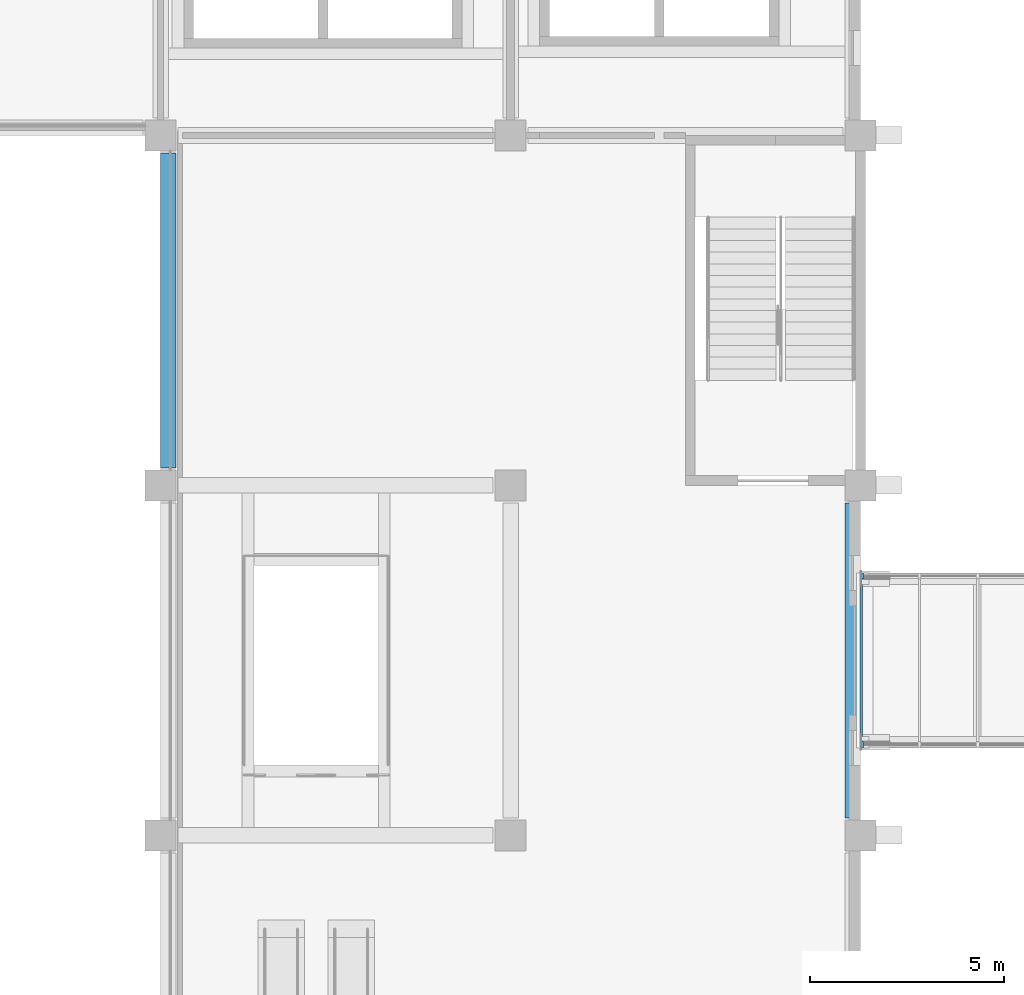
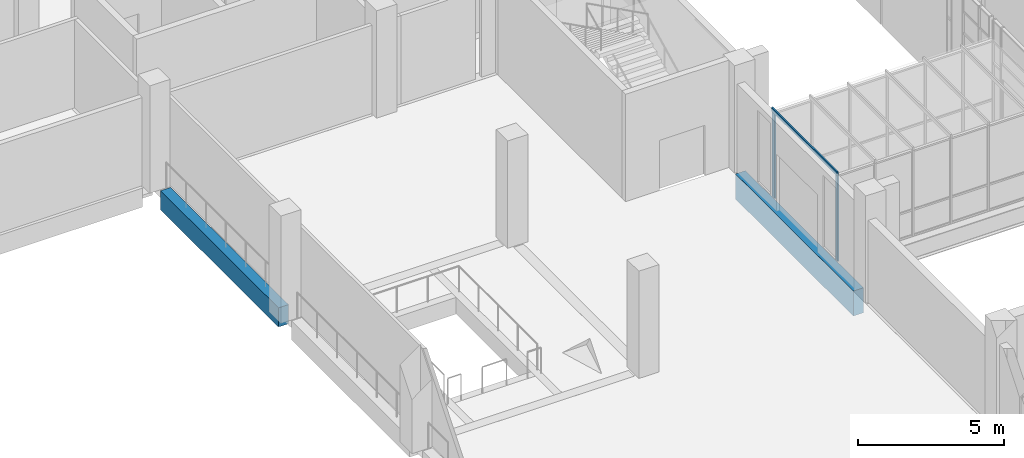
# One storey, part 14 of 106: 3 members, 2 beams, 3 elements without a shape of their own.
"""IFC4 building model written with IfcOpenShell, lengths in metres."""

from ifc_helpers import new_model, si_unit, direction, frame, origin, origin_2d, place, context, subcontext, project, spatial, rectangle, extrude, material, layer, layer_set, material_profile, profile_set, type_object, element, aggregate, save


model = new_model("IFC4")

# Units and contexts
model_context = context("Model", 3, precision=1e-05, world=origin(), true_north=direction((0.0, 1.0)))
body_context = subcontext(model_context, "Body", "Model", "MODEL_VIEW")
ifc_project = project(units=[si_unit("LENGTHUNIT", "METRE"), si_unit("AREAUNIT", "SQUARE_METRE"), si_unit("VOLUMEUNIT", "CUBIC_METRE"), si_unit("PLANEANGLEUNIT", "RADIAN"), si_unit("MASSUNIT", "GRAM", prefix="KILO")], contexts=[model_context])

# Site, building, storey
site_placement = place(None, origin())
site = spatial("IfcSite", under=ifc_project, at=site_placement, CompositionType="ELEMENT")
building_placement = place(site_placement, origin())
building = spatial("IfcBuilding", under=site, at=building_placement, Name="Guidao Yard Department Store", CompositionType="ELEMENT")
storey_placement = place(building_placement, frame((0.0, 0.0, 10.5)))
storey = spatial("IfcBuildingStorey", under=building, at=storey_placement, Name="L02", CompositionType="ELEMENT", Elevation=10.5)

# Beams
ifc_material_1 = material(Name="Concrete C40", Category="concrete")
ifc_material_profile_1 = material_profile(ifc_material_1, rectangle(XDim=0.39990234375, YDim=1.050048828125, at=origin_2d()), Name="Bridge landing beam 400 x 1050 C40")
ifc_profile_set_1 = profile_set([ifc_material_profile_1], Name="Concrete C40")
beam_type_1 = type_object("IfcBeamType", Name="Bridge landing beam 400 x 1050 C40", PredefinedType="BEAM", material=ifc_profile_set_1)
beam_1_placement = place(storey_placement, frame((62.800048828125, 72.449951171875, -0.52490234375), z_axis=(0.0, 1.0, 0.0), x_axis=(-1.0, 0.0, 0.0)))
element("IfcBeam", 1, at=beam_1_placement, inside=storey, type_object=beam_type_1, Name="Beam LB02", PredefinedType="BEAM", context=body_context, shape_type="SweptSolid", body=[
    extrude(rectangle(XDim=0.39990234375, YDim=1.050048828125, at=origin_2d()), origin(), (0.0, 0.0, 1.0), 8.10009765625),
])
ifc_material_2 = material(Name="Concrete C40", Category="concrete")
ifc_material_profile_2 = material_profile(ifc_material_2, rectangle(XDim=0.39990234375, YDim=0.800048828125, at=origin_2d()), Name="Edge beam 400 x 800 C40")
ifc_profile_set_2 = profile_set([ifc_material_profile_2], Name="Concrete C40")
beam_type_2 = type_object("IfcBeamType", Name="Edge beam 400 x 800 C40", PredefinedType="BEAM", material=ifc_profile_set_2)
beam_2_placement = place(storey_placement, frame((45.199951171875, 81.449951171875, -0.39990234375), z_axis=(0.0, 1.0, 0.0), x_axis=(-1.0, 0.0, 0.0)))
element("IfcBeam", 2, at=beam_2_placement, inside=storey, type_object=beam_type_2, Name="Beam EB25", PredefinedType="BEAM", context=body_context, shape_type="SweptSolid", body=[
    extrude(rectangle(XDim=0.39990234375, YDim=0.800048828125, at=origin_2d()), origin(), (0.0, 0.0, 1.0), 8.10009765625),
])

# Curtain wall, member
ifc_material_3 = material(Name="Aluminium and glass", Category="aluminium")
ifc_layer = layer(ifc_material_3, 0.159912109375)
ifc_layer_set = layer_set([ifc_layer], Name="Bridge glazing CW5 1500 module")
curtain_wall_type = type_object("IfcCurtainWallType", Name="Bridge glazing CW5 1500 module", PredefinedType="NOTDEFINED", material=ifc_layer_set)
curtain_wall_1_placement = place(storey_placement, origin())
curtain_wall_1 = element("IfcCurtainWall", 3, at=curtain_wall_1_placement, inside=storey, type_object=curtain_wall_type, Name="Bridge glazing BR04 S", PredefinedType="NOTDEFINED")
ifc_material_4 = material(Name="Aluminium 6063-T5", Category="aluminium")
ifc_material_profile_3 = material_profile(ifc_material_4, rectangle(XDim=0.06005859375, YDim=0.159912109375, at=origin_2d()), Name="Mullion M1 60 x 160 aluminium pressure plate")
ifc_profile_set_3 = profile_set([ifc_material_profile_3], Name="Aluminium 6063-T5")
member_type_1 = type_object("IfcMemberType", Name="Mullion M1 60 x 160 aluminium pressure plate", PredefinedType="MULLION", material=ifc_profile_set_3)
member_1_placement = place(storey_placement, frame((63.044921875, 74.330078125, 0.0), z_axis=(0.0, 0.0, 1.0), x_axis=(-1.0, 0.0, 0.0)))
member_1 = element("IfcMember", 4, at=member_1_placement, type_object=member_type_1, Name="CW-S-L02-03 mullion 1", PredefinedType="MULLION", context=body_context, shape_type="SweptSolid", body=[
    extrude(rectangle(XDim=0.06005859375, YDim=0.159912109375, at=origin_2d()), origin(), (0.0, 0.0, 1.0), 3.60009765625),
])
aggregate(curtain_wall_1, [member_1])

curtain_wall_2_placement = place(storey_placement, origin())
curtain_wall_2 = element("IfcCurtainWall", 5, at=curtain_wall_2_placement, inside=storey, type_object=curtain_wall_type, Name="Bridge glazing BR04 N", PredefinedType="NOTDEFINED")
member_2_placement = place(storey_placement, frame((63.044921875, 78.669921875, 0.0), z_axis=(0.0, 0.0, 1.0), x_axis=(1.0, 0.0, 0.0)))
member_2 = element("IfcMember", 6, at=member_2_placement, type_object=member_type_1, Name="CW-N-L02-04 mullion 1", PredefinedType="MULLION", context=body_context, shape_type="SweptSolid", body=[
    extrude(rectangle(XDim=0.06005859375, YDim=0.159912109375, at=origin_2d()), origin(), (0.0, 0.0, 1.0), 3.60009765625),
])
aggregate(curtain_wall_2, [member_2])

curtain_wall_3_placement = place(storey_placement, origin())
curtain_wall_3 = element("IfcCurtainWall", 7, at=curtain_wall_3_placement, inside=storey, type_object=curtain_wall_type, Name="Bridge roof glazing BR04", PredefinedType="NOTDEFINED")
ifc_material_5 = material(Name="Aluminium 6063-T5", Category="aluminium")
ifc_material_profile_4 = material_profile(ifc_material_5, rectangle(XDim=0.06005859375, YDim=0.159912109375, at=origin_2d()), Name="Roof bar RB1 60 x 160 aluminium")
ifc_profile_set_4 = profile_set([ifc_material_profile_4], Name="Aluminium 6063-T5")
member_type_2 = type_object("IfcMemberType", Name="Roof bar RB1 60 x 160 aluminium", PredefinedType="USERDEFINED", material=ifc_profile_set_4)
member_3_placement = place(storey_placement, frame((63.014892578125, 74.25, 3.679931640625), z_axis=(0.0, 1.0, 0.0), x_axis=(-1.0, 0.0, 0.0)))
member_3 = element("IfcMember", 8, at=member_3_placement, type_object=member_type_2, Name="Bridge roof bar BR04", ObjectType="TRANSOM", PredefinedType="USERDEFINED", context=body_context, shape_type="SweptSolid", body=[
    extrude(rectangle(XDim=0.06005859375, YDim=0.159912109375, at=origin_2d()), origin(), (0.0, 0.0, 1.0), 4.5),
])
aggregate(curtain_wall_3, [member_3])

save(model, "model.ifc")
